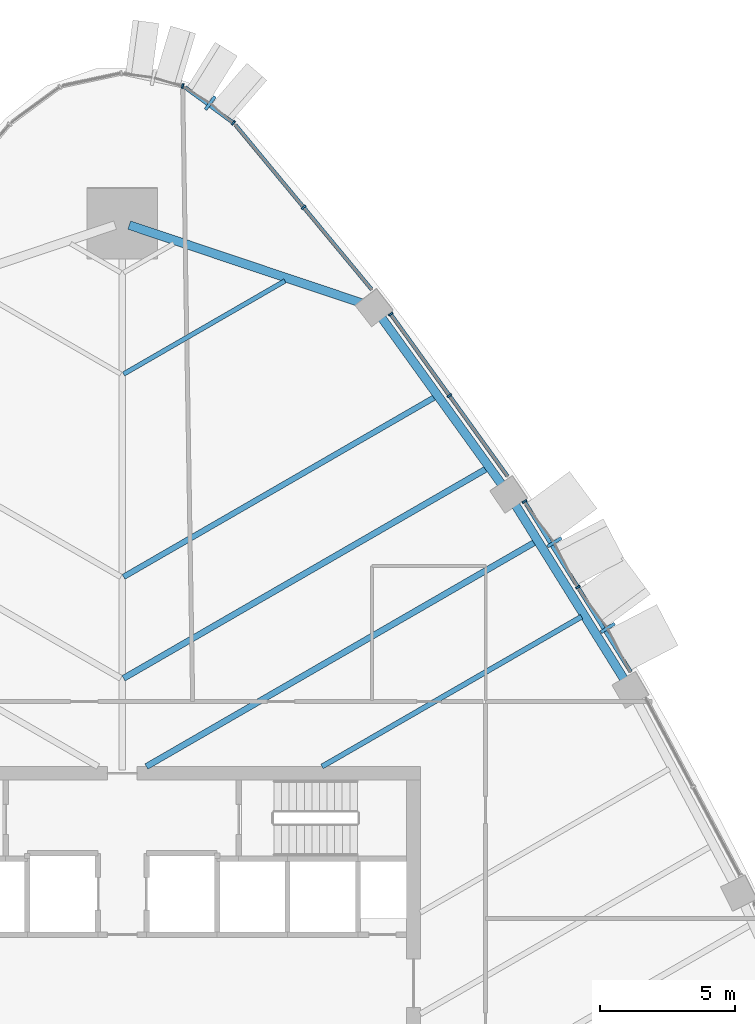
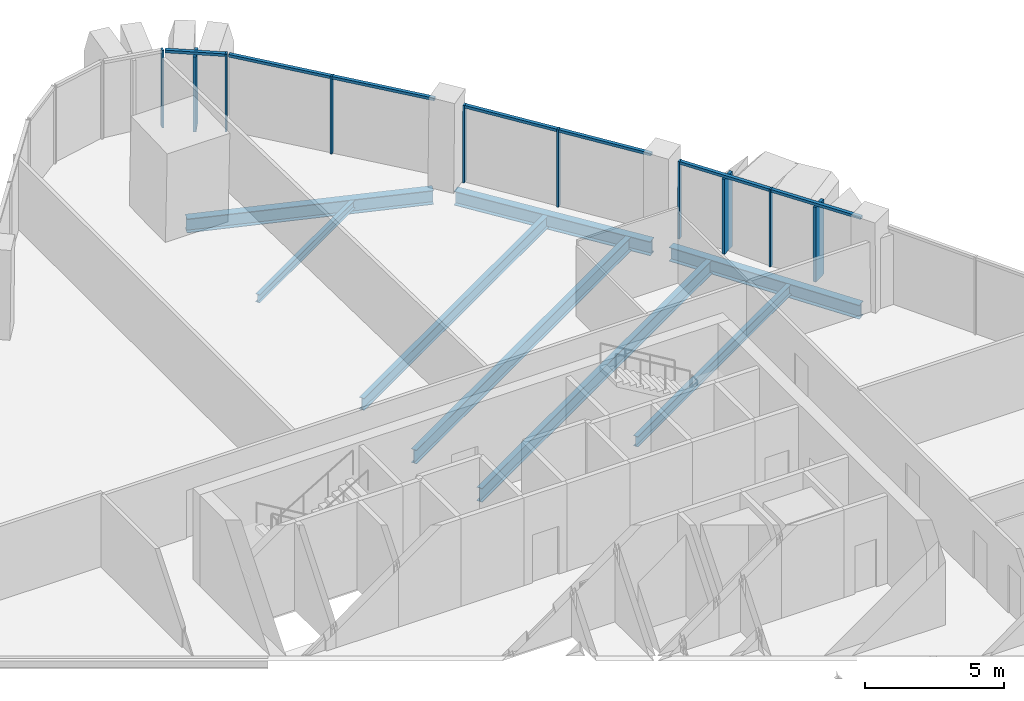
# One storey, part 7 of 17: 17 members, 8 beams, 5 elements without a shape of their own.
"""IFC4 building model written with IfcOpenShell, lengths in metres."""

from ifc_helpers import new_model, si_unit, direction, frame, origin, origin_2d, place, context, subcontext, project, spatial, rectangle, i_section, extrude, material, layer, layer_set, material_profile, profile_set, type_object, element, aggregate, save


model = new_model("IFC4")

# Units and contexts
model_context = context("Model", 3, precision=1e-05, world=origin(), true_north=direction((0.0, 1.0)))
body_context = subcontext(model_context, "Body", "Model", "MODEL_VIEW")
ifc_project = project(units=[si_unit("LENGTHUNIT", "METRE"), si_unit("AREAUNIT", "SQUARE_METRE"), si_unit("VOLUMEUNIT", "CUBIC_METRE"), si_unit("PLANEANGLEUNIT", "RADIAN"), si_unit("MASSUNIT", "GRAM", prefix="KILO")], contexts=[model_context])

# Site, building, storey
site_placement = place(None, origin())
site = spatial("IfcSite", under=ifc_project, at=site_placement, CompositionType="ELEMENT")
building_placement = place(site_placement, origin())
building = spatial("IfcBuilding", under=site, at=building_placement, Name="Sierra Prisma Convention Tower", CompositionType="ELEMENT")
storey_placement = place(building_placement, frame((0.0, 0.0, 153.800048828125)))
storey = spatial("IfcBuildingStorey", under=building, at=storey_placement, Name="L33", CompositionType="ELEMENT", Elevation=153.800048828125)

# Curtain wall, members
ifc_material_1 = material(Name="Aluminium and glass curtain wall", Category="aluminium")
ifc_layer_1 = layer(ifc_material_1, 0.179931640625)
ifc_layer_set_1 = layer_set([ifc_layer_1], Name="CW-2 Faceted crystal curtain wall")
curtain_wall_type_1 = type_object("IfcCurtainWallType", Name="CW-2 Faceted crystal curtain wall", PredefinedType="NOTDEFINED", material=ifc_layer_set_1)
curtain_wall_1_placement = place(storey_placement, origin())
curtain_wall_1 = element("IfcCurtainWall", 1, at=curtain_wall_1_placement, inside=storey, type_object=curtain_wall_type_1, Name="CW-2 NE4 L33", PredefinedType="NOTDEFINED")
ifc_material_2 = material(Name="Aluminium 6063-T6 bronze anodised", Category="aluminium")
ifc_material_profile_1 = material_profile(ifc_material_2, rectangle(XDim=0.1201171875, YDim=0.60009765625, at=origin_2d()), Name="ALU RIDGE BLADE 120x600")
ifc_profile_set_1 = profile_set([ifc_material_profile_1], Name="Aluminium 6063-T6 bronze anodised")
member_type_1 = type_object("IfcMemberType", Name="CW hip bronze", PredefinedType="MULLION", material=ifc_profile_set_1)
member_1_placement = place(storey_placement, frame((17.9208984375, 13.11767578125, 0.0), z_axis=(0.0, 0.0, 1.0), x_axis=(-0.528824146252, 0.848731419438, 0.0)))
member_1 = element("IfcMember", 2, at=member_1_placement, type_object=member_type_1, Name="CW-2 ridge NE4.1", PredefinedType="MULLION", context=body_context, shape_type="SweptSolid", body=[
    extrude(rectangle(XDim=0.1201171875, YDim=0.60009765625, at=origin_2d()), origin(), (0.0, 0.0, 1.0), 3.280029296875),
])
member_2_placement = place(storey_placement, frame((15.952392578125, 16.27734375, 0.0), z_axis=(0.0, 0.0, 1.0), x_axis=(-0.528824146252, 0.848731419438, 0.0)))
member_2 = element("IfcMember", 3, at=member_2_placement, type_object=member_type_1, Name="CW-2 ridge NE4.2", PredefinedType="MULLION", context=body_context, shape_type="SweptSolid", body=[
    extrude(rectangle(XDim=0.1201171875, YDim=0.60009765625, at=origin_2d()), origin(), (0.0, 0.0, 1.0), 3.280029296875),
])

# Curtain wall, member
curtain_wall_2_placement = place(storey_placement, origin())
curtain_wall_2 = element("IfcCurtainWall", 4, at=curtain_wall_2_placement, inside=storey, type_object=curtain_wall_type_1, Name="CW-2 N1 L33", PredefinedType="NOTDEFINED")
member_3_placement = place(storey_placement, frame((3.249267578125, 32.487060546875, 0.0), z_axis=(0.0, 0.0, 1.0), x_axis=(-0.805589104814, 0.592474635917, 0.0)))
member_3 = element("IfcMember", 5, at=member_3_placement, type_object=member_type_1, Name="CW-2 ridge N1.1", PredefinedType="MULLION", context=body_context, shape_type="SweptSolid", body=[
    extrude(rectangle(XDim=0.1201171875, YDim=0.60009765625, at=origin_2d()), origin(), (0.0, 0.0, 1.0), 3.280029296875),
])

# Member
ifc_material_3 = material(Name="Aluminium 6063-T6 bronze anodised", Category="aluminium")
ifc_material_profile_2 = material_profile(ifc_material_3, rectangle(XDim=0.179931640625, YDim=0.070068359375, at=origin_2d()), Name="ALU MULLION 70x180")
ifc_profile_set_2 = profile_set([ifc_material_profile_2], Name="Aluminium 6063-T6 bronze anodised")
member_type_2 = type_object("IfcMemberType", Name="CW mullion bronze", PredefinedType="MULLION", material=ifc_profile_set_2)
member_4_placement = place(storey_placement, frame((16.814697265625, 14.621337890625, 0.0), z_axis=(0.0, 0.0, 1.0), x_axis=(-0.848731419438, -0.528824146252, 0.0)))
member_4 = element("IfcMember", 6, at=member_4_placement, type_object=member_type_2, Name="CW-1 mullion NE4.2", PredefinedType="MULLION", context=body_context, shape_type="SweptSolid", body=[
    extrude(rectangle(XDim=0.179931640625, YDim=0.070068359375, at=origin_2d()), origin(), (0.0, 0.0, 1.0), 3.39990234375),
])

member_5_placement = place(storey_placement, frame((14.845947265625, 17.781005859375, 0.0), z_axis=(0.0, 0.0, 1.0), x_axis=(-0.848731419438, -0.528824146252, 0.0)))
member_5 = element("IfcMember", 7, at=member_5_placement, type_object=member_type_2, Name="CW-1 mullion NE4.3", PredefinedType="MULLION", context=body_context, shape_type="SweptSolid", body=[
    extrude(rectangle(XDim=0.179931640625, YDim=0.070068359375, at=origin_2d()), origin(), (0.0, 0.0, 1.0), 3.39990234375),
])

# Curtain wall, members
ifc_material_4 = material(Name="Aluminium and glass curtain wall", Category="aluminium")
ifc_layer_2 = layer(ifc_material_4, 0.179931640625)
ifc_layer_set_2 = layer_set([ifc_layer_2], Name="CW-1 Plain shaft curtain wall")
curtain_wall_type_2 = type_object("IfcCurtainWallType", Name="CW-1 Plain shaft curtain wall", PredefinedType="NOTDEFINED", material=ifc_layer_set_2)
curtain_wall_3_placement = place(storey_placement, origin())
curtain_wall_3 = element("IfcCurtainWall", 8, at=curtain_wall_3_placement, inside=storey, type_object=curtain_wall_type_2, Name="CW-1 NE5 L33", PredefinedType="NOTDEFINED")
member_6_placement = place(storey_placement, frame((12.076171875, 21.687255859375, 0.0), z_axis=(0.0, 0.0, 1.0), x_axis=(-0.811287096274, -0.584647968797, 0.0)))
member_6 = element("IfcMember", 9, at=member_6_placement, type_object=member_type_2, Name="CW-1 mullion NE5.2", PredefinedType="MULLION", context=body_context, shape_type="SweptSolid", body=[
    extrude(rectangle(XDim=0.179931640625, YDim=0.070068359375, at=origin_2d()), origin(), (0.0, 0.0, 1.0), 3.39990234375),
])
member_7_placement = place(storey_placement, frame((9.90869140625, 24.695068359375, 0.0), z_axis=(0.0, 0.0, 1.0), x_axis=(-0.811287096274, -0.584647968797, 0.0)))
member_7 = element("IfcMember", 10, at=member_7_placement, type_object=member_type_2, Name="CW-1 mullion NE5.3", PredefinedType="MULLION", context=body_context, shape_type="SweptSolid", body=[
    extrude(rectangle(XDim=0.179931640625, YDim=0.070068359375, at=origin_2d()), origin(), (0.0, 0.0, 1.0), 3.39990234375),
])

# Curtain wall, member
curtain_wall_4_placement = place(storey_placement, origin())
curtain_wall_4 = element("IfcCurtainWall", 11, at=curtain_wall_4_placement, inside=storey, type_object=curtain_wall_type_2, Name="CW-1 NE6 L33", PredefinedType="NOTDEFINED")
member_8_placement = place(storey_placement, frame((6.69189453125, 28.640380859375, 0.0), z_axis=(0.0, 0.0, 1.0), x_axis=(-0.77017707256, -0.637830131698, 0.0)))
member_8 = element("IfcMember", 12, at=member_8_placement, type_object=member_type_2, Name="CW-1 mullion NE6.2", PredefinedType="MULLION", context=body_context, shape_type="SweptSolid", body=[
    extrude(rectangle(XDim=0.179931640625, YDim=0.070068359375, at=origin_2d()), origin(), (0.0, 0.0, 1.0), 3.39990234375),
])

# Member
member_9_placement = place(storey_placement, frame((4.103515625, 31.75244140625, 0.0), z_axis=(0.0, 0.0, 1.0), x_axis=(-0.592474635917, -0.805589104814, 0.0)))
member_9 = element("IfcMember", 13, at=member_9_placement, type_object=member_type_2, Name="CW-1 mullion N1.1", PredefinedType="MULLION", context=body_context, shape_type="SweptSolid", body=[
    extrude(rectangle(XDim=0.179931640625, YDim=0.070068359375, at=origin_2d()), origin(), (0.0, 0.0, 1.0), 3.39990234375),
])

# Curtain wall, member
curtain_wall_5_placement = place(storey_placement, origin())
curtain_wall_5 = element("IfcCurtainWall", 14, at=curtain_wall_5_placement, inside=storey, type_object=curtain_wall_type_1, Name="CW-2 N2 L33", PredefinedType="NOTDEFINED")
member_10_placement = place(storey_placement, frame((2.23095703125, 33.111572265625, 0.0), z_axis=(0.0, 0.0, 1.0), x_axis=(-0.209805217539, -0.977743202837, 0.0)))
member_10 = element("IfcMember", 15, at=member_10_placement, type_object=member_type_2, Name="CW-1 mullion N2.1", PredefinedType="MULLION", context=body_context, shape_type="SweptSolid", body=[
    extrude(rectangle(XDim=0.179931640625, YDim=0.070068359375, at=origin_2d()), origin(), (0.0, 0.0, 1.0), 3.39990234375),
])
aggregate(curtain_wall_5, [member_10])

# Member
ifc_material_5 = material(Name="Aluminium 6063-T6 bronze anodised", Category="aluminium")
ifc_material_profile_3 = material_profile(ifc_material_5, rectangle(XDim=0.139892578125, YDim=0.1201171875, at=origin_2d()), Name="ALU TRANSOM 120x140")
ifc_profile_set_3 = profile_set([ifc_material_profile_3], Name="Aluminium 6063-T6 bronze anodised")
member_type_3 = type_object("IfcMemberType", Name="CW transom bronze", PredefinedType="USERDEFINED", material=ifc_profile_set_3)
member_11_placement = place(storey_placement, frame((18.7646484375, 11.49169921875, 3.33984375), z_axis=(-0.528832881386, 0.848725976723, 0.0), x_axis=(-0.848725976723, -0.528832881386, 0.0)))
member_11 = element("IfcMember", 16, at=member_11_placement, type_object=member_type_3, Name="CW-1 transom NE4.1", ObjectType="TRANSOM", PredefinedType="USERDEFINED", context=body_context, shape_type="SweptSolid", body=[
    extrude(rectangle(XDim=0.139892578125, YDim=0.1201171875, at=origin_2d()), origin(), (0.0, 0.0, 1.0), 3.652587890625),
])

member_12_placement = place(storey_placement, frame((16.796142578125, 14.651123046875, 3.33984375), z_axis=(-0.528832881386, 0.848725976723, 0.0), x_axis=(-0.848725976723, -0.528832881386, 0.0)))
member_12 = element("IfcMember", 17, at=member_12_placement, type_object=member_type_3, Name="CW-1 transom NE4.2", ObjectType="TRANSOM", PredefinedType="USERDEFINED", context=body_context, shape_type="SweptSolid", body=[
    extrude(rectangle(XDim=0.139892578125, YDim=0.1201171875, at=origin_2d()), origin(), (0.0, 0.0, 1.0), 3.652587890625),
])

aggregate(curtain_wall_1, [member_4, member_5, member_11, member_1, member_12, member_2])

member_13_placement = place(storey_placement, frame((14.223388671875, 18.7080078125, 3.33984375), z_axis=(-0.584674209138, 0.811268185725, 0.0), x_axis=(-0.811268185725, -0.584674209138, 0.0)))
member_13 = element("IfcMember", 18, at=member_13_placement, type_object=member_type_3, Name="CW-1 transom NE5.1", ObjectType="TRANSOM", PredefinedType="USERDEFINED", context=body_context, shape_type="SweptSolid", body=[
    extrude(rectangle(XDim=0.139892578125, YDim=0.1201171875, at=origin_2d()), origin(), (0.0, 0.0, 1.0), 3.637451171875),
])

member_14_placement = place(storey_placement, frame((12.055908203125, 21.715576171875, 3.33984375), z_axis=(-0.584674209138, 0.811268185725, 0.0), x_axis=(-0.811268185725, -0.584674209138, 0.0)))
member_14 = element("IfcMember", 19, at=member_14_placement, type_object=member_type_3, Name="CW-1 transom NE5.2", ObjectType="TRANSOM", PredefinedType="USERDEFINED", context=body_context, shape_type="SweptSolid", body=[
    extrude(rectangle(XDim=0.139892578125, YDim=0.1201171875, at=origin_2d()), origin(), (0.0, 0.0, 1.0), 3.637451171875),
])

aggregate(curtain_wall_3, [member_6, member_7, member_13, member_14])

member_15_placement = place(storey_placement, frame((9.207275390625, 25.602783203125, 3.33984375), z_axis=(-0.637828443767, 0.770178470435, 0.0), x_axis=(-0.770178470435, -0.637828443767, 0.0)))
member_15 = element("IfcMember", 20, at=member_15_placement, type_object=member_type_3, Name="CW-1 transom NE6.1", ObjectType="TRANSOM", PredefinedType="USERDEFINED", context=body_context, shape_type="SweptSolid", body=[
    extrude(rectangle(XDim=0.139892578125, YDim=0.1201171875, at=origin_2d()), origin(), (0.0, 0.0, 1.0), 3.908935546875),
])

member_16_placement = place(storey_placement, frame((6.66943359375, 28.667236328125, 3.33984375), z_axis=(-0.637828443767, 0.770178470435, 0.0), x_axis=(-0.770178470435, -0.637828443767, 0.0)))
member_16 = element("IfcMember", 21, at=member_16_placement, type_object=member_type_3, Name="CW-1 transom NE6.2", ObjectType="TRANSOM", PredefinedType="USERDEFINED", context=body_context, shape_type="SweptSolid", body=[
    extrude(rectangle(XDim=0.139892578125, YDim=0.1201171875, at=origin_2d()), origin(), (0.0, 0.0, 1.0), 3.908935546875),
])

aggregate(curtain_wall_4, [member_8, member_15, member_16])

member_17_placement = place(storey_placement, frame((4.075439453125, 31.773193359375, 3.33984375), z_axis=(-0.80563054539, 0.592418284943, 0.0), x_axis=(-0.592418284943, -0.80563054539, 0.0)))
member_17 = element("IfcMember", 22, at=member_17_placement, type_object=member_type_3, Name="CW-1 transom N1.1", ObjectType="TRANSOM", PredefinedType="USERDEFINED", context=body_context, shape_type="SweptSolid", body=[
    extrude(rectangle(XDim=0.139892578125, YDim=0.1201171875, at=origin_2d()), origin(), (0.0, 0.0, 1.0), 2.1767578125),
])

aggregate(curtain_wall_2, [member_9, member_17, member_3])

# Beams
ifc_material_6 = material(Name="Steel ASTM A992 Gr 50", Category="steel")
ifc_material_profile_4 = material_profile(ifc_material_6, i_section(OverallWidth=0.172119140625, OverallDepth=0.35791015625, WebThickness=0.0078125, FlangeThickness=0.01318359375, at=origin_2d()), Name="W360x57")
ifc_profile_set_4 = profile_set([ifc_material_profile_4], Name="Steel ASTM A992 Gr 50")
beam_type_1 = type_object("IfcBeamType", Name="Floor joist W360x57", PredefinedType="JOIST", material=ifc_profile_set_4)
beam_1_placement = place(storey_placement, frame((6.004638671875, 25.921875, -0.3291015625), z_axis=(-0.866038336009, -0.49997760006, 0.0), x_axis=(0.49997760006, -0.866038336009, 0.0)))
element("IfcBeam", 23, at=beam_1_placement, inside=storey, type_object=beam_type_1, Name="Floor joist L33 NE14", PredefinedType="JOIST", context=body_context, shape_type="SweptSolid", body=[
    extrude(i_section(OverallWidth=0.172119140625, OverallDepth=0.35791015625, WebThickness=0.0078125, FlangeThickness=0.01318359375, at=origin_2d()), origin(), (0.0, 0.0, 1.0), 6.874755859375),
])
ifc_material_7 = material(Name="Steel ASTM A992 Gr 50", Category="steel")
ifc_material_profile_5 = material_profile(ifc_material_7, i_section(OverallWidth=0.18994140625, OverallDepth=0.45703125, WebThickness=0.009033203125, FlangeThickness=0.014404296875, at=origin_2d()), Name="W460x74")
ifc_profile_set_5 = profile_set([ifc_material_profile_5], Name="Steel ASTM A992 Gr 50")
beam_type_2 = type_object("IfcBeamType", Name="Floor joist W460x74", PredefinedType="JOIST", material=ifc_profile_set_5)
beam_2_placement = place(storey_placement, frame((16.95068359375, 13.529052734375, -0.378662109375), z_axis=(-0.866021238468, -0.50000721447, 0.0), x_axis=(0.50000721447, -0.866021238468, 0.0)))
element("IfcBeam", 24, at=beam_2_placement, inside=storey, type_object=beam_type_2, Name="Floor joist L33 NE09", PredefinedType="JOIST", context=body_context, shape_type="SweptSolid", body=[
    extrude(i_section(OverallWidth=0.18994140625, OverallDepth=0.45703125, WebThickness=0.009033203125, FlangeThickness=0.014404296875, at=origin_2d()), origin(), (0.0, 0.0, 1.0), 11.057861328125),
])
ifc_material_8 = material(Name="Steel ASTM A992 Gr 50", Category="steel")
ifc_material_profile_6 = material_profile(ifc_material_8, i_section(OverallWidth=0.208984375, OverallDepth=0.532958984375, WebThickness=0.01025390625, FlangeThickness=0.015625, at=origin_2d()), Name="W530x92")
ifc_profile_set_6 = profile_set([ifc_material_profile_6], Name="Steel ASTM A992 Gr 50")
beam_type_3 = type_object("IfcBeamType", Name="Floor joist W530x92", PredefinedType="JOIST", material=ifc_profile_set_6)
beam_3_placement = place(storey_placement, frame((11.5439453125, 21.635009765625, -0.41650390625), z_axis=(-0.866028122302, -0.49999529136, 0.0), x_axis=(0.49999529136, -0.866028122302, 0.0)))
element("IfcBeam", 25, at=beam_3_placement, inside=storey, type_object=beam_type_3, Name="Floor joist L33 NE12", PredefinedType="JOIST", context=body_context, shape_type="SweptSolid", body=[
    extrude(i_section(OverallWidth=0.208984375, OverallDepth=0.532958984375, WebThickness=0.01025390625, FlangeThickness=0.015625, at=origin_2d()), origin(), (0.0, 0.0, 1.0), 13.271240234375),
])
ifc_material_9 = material(Name="Steel ASTM A992 Gr 50", Category="steel")
ifc_material_profile_7 = material_profile(ifc_material_9, i_section(OverallWidth=0.22802734375, OverallDepth=0.60302734375, WebThickness=0.010498046875, FlangeThickness=0.014892578125, at=origin_2d()), Name="W610x101")
ifc_profile_set_7 = profile_set([ifc_material_profile_7], Name="Steel ASTM A992 Gr 50")
beam_type_4 = type_object("IfcBeamType", Name="Floor joist W610x101", PredefinedType="JOIST", material=ifc_profile_set_7)
beam_4_placement = place(storey_placement, frame((15.235595703125, 16.281494140625, -0.45166015625), z_axis=(-0.866022103989, -0.50000571537, 0.0), x_axis=(0.50000571537, -0.866022103989, 0.0)))
element("IfcBeam", 26, at=beam_4_placement, inside=storey, type_object=beam_type_4, Name="Floor joist L33 NE10", PredefinedType="JOIST", context=body_context, shape_type="SweptSolid", body=[
    extrude(i_section(OverallWidth=0.22802734375, OverallDepth=0.60302734375, WebThickness=0.010498046875, FlangeThickness=0.014892578125, at=origin_2d()), origin(), (0.0, 0.0, 1.0), 16.562744140625),
])
beam_5_placement = place(storey_placement, frame((13.448486328125, 18.9921875, -0.45166015625), z_axis=(-0.866020283607, -0.500008868302, 0.0), x_axis=(0.500008868302, -0.866020283607, 0.0)))
element("IfcBeam", 27, at=beam_5_placement, inside=storey, type_object=beam_type_4, Name="Floor joist L33 NE11", PredefinedType="JOIST", context=body_context, shape_type="SweptSolid", body=[
    extrude(i_section(OverallWidth=0.22802734375, OverallDepth=0.60302734375, WebThickness=0.010498046875, FlangeThickness=0.014892578125, at=origin_2d()), origin(), (0.0, 0.0, 1.0), 15.470458984375),
])
ifc_material_10 = material(Name="Steel ASTM A992 Gr 50", Category="steel")
ifc_material_profile_8 = material_profile(ifc_material_10, i_section(OverallWidth=0.324951171875, OverallDepth=0.615966796875, WebThickness=0.013916015625, FlangeThickness=0.021484375, at=origin_2d()), Name="W610x174")
ifc_profile_set_8 = profile_set([ifc_material_profile_8], Name="Steel ASTM A992 Gr 50")
beam_type_5 = type_object("IfcBeamType", Name="Spandrel beam W610x174", PredefinedType="BEAM", material=ifc_profile_set_8)
for number, where, z_axis, x_axis, name in (
    (28, (18.56201171875, 11.15576171875, -0.4580078125), (-0.52883364332, 0.848725501969, 0.0), (-0.848725501969, -0.52883364332, 0.0), "Spandrel L33-10"),
    (29, (14.04345703125, 18.359130859375, -0.4580078125), (-0.584636076974, 0.811295665895, 0.0), (-0.811295665895, -0.584636076974, 0.0), "Spandrel L33-11"),
):
    element("IfcBeam", number, at=place(storey_placement, frame(where, z_axis=z_axis, x_axis=x_axis)), inside=storey, type_object=beam_type_5, Name=name, PredefinedType="BEAM", context=body_context, shape_type="SweptSolid", body=[
        extrude(i_section(OverallWidth=0.324951171875, OverallDepth=0.615966796875, WebThickness=0.013916015625, FlangeThickness=0.021484375, at=origin_2d()), origin(), (0.0, 0.0, 1.0), 7.743408203125),
    ])
beam_6_placement = place(storey_placement, frame((8.837646484375, 25.10302734375, -0.4580078125), z_axis=(-0.948036420874, 0.318161821556, 0.0), x_axis=(-0.318161821556, -0.948036420874, 0.0)))
element("IfcBeam", 30, at=beam_6_placement, inside=storey, type_object=beam_type_5, Name="Spandrel L33-12", PredefinedType="BEAM", context=body_context, shape_type="SweptSolid", body=[
    extrude(i_section(OverallWidth=0.324951171875, OverallDepth=0.615966796875, WebThickness=0.013916015625, FlangeThickness=0.021484375, at=origin_2d()), origin(), (0.0, 0.0, 1.0), 9.0478515625),
])

save(model, "model.ifc")
